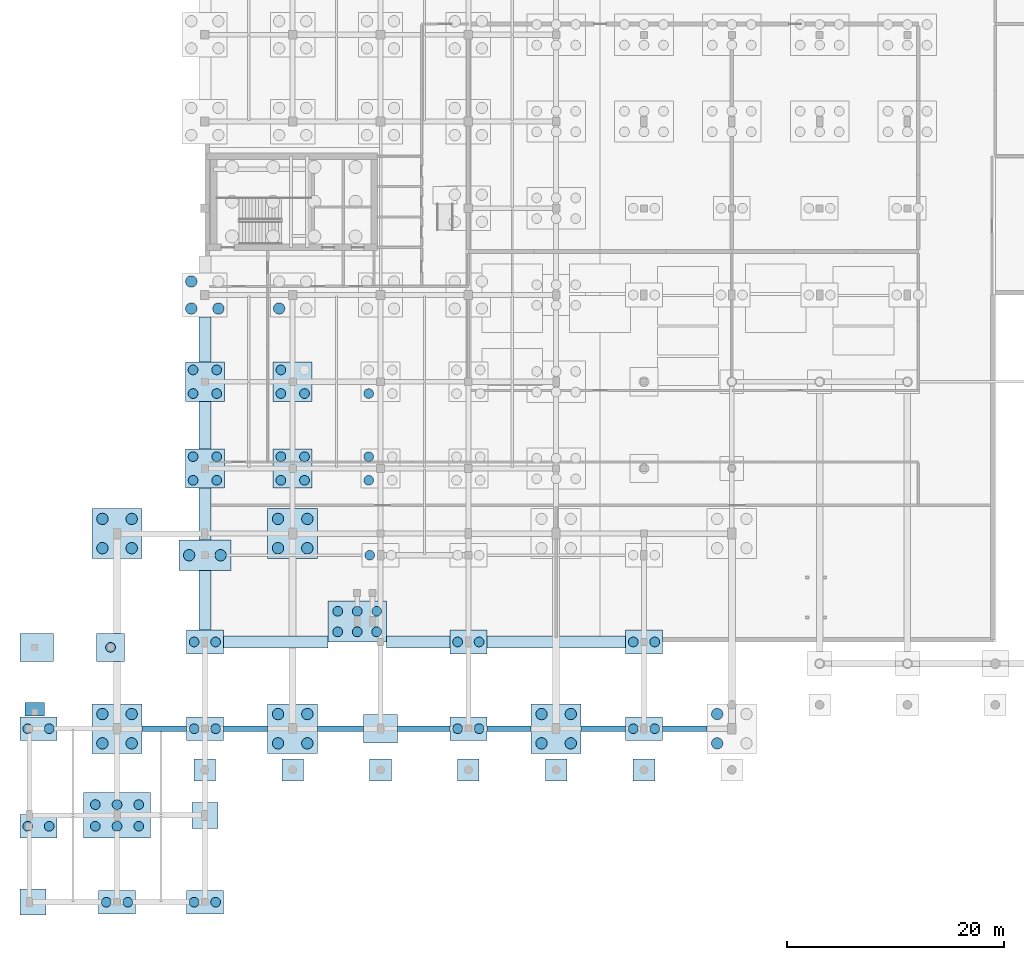
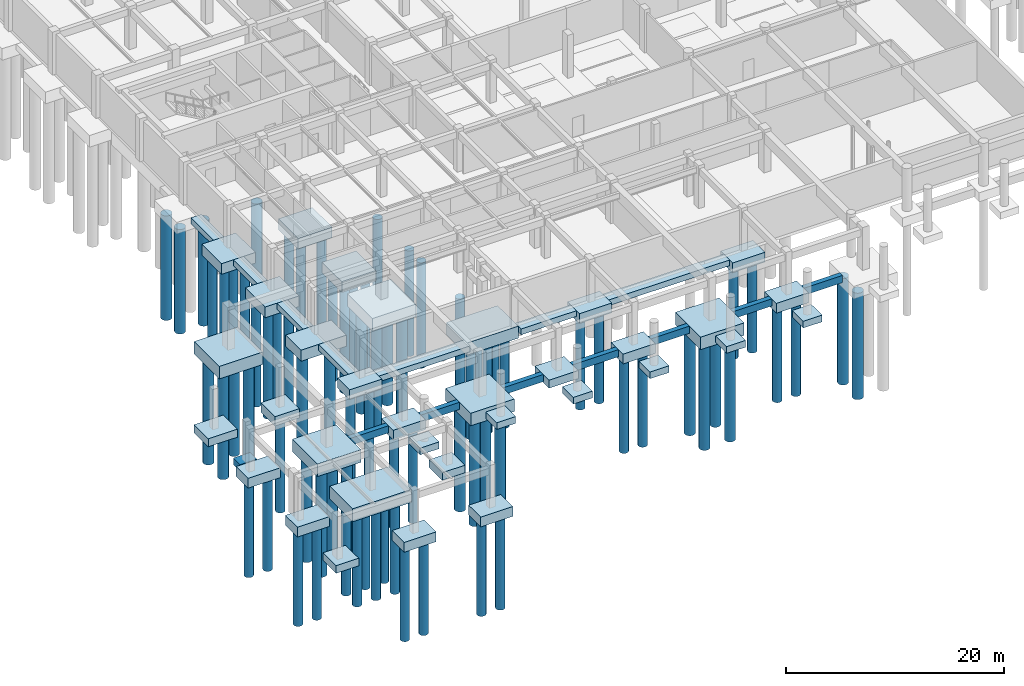
# One storey, part 1 of 25: 80 piles, 48 footings.
"""IFC4 building model written with IfcOpenShell, lengths in metres."""

from ifc_helpers import new_model, si_unit, direction, frame, origin, origin_2d, place, context, subcontext, project, spatial, polyline, rectangle, circle, outline, extrude, material, material_profile, profile_set, type_object, element, save


model = new_model("IFC4")

# Units and contexts
model_context = context("Model", 3, precision=1e-05, world=origin(), true_north=direction((0.0, 1.0)))
body_context = subcontext(model_context, "Body", "Model", "MODEL_VIEW")
ifc_project = project(units=[si_unit("LENGTHUNIT", "METRE"), si_unit("AREAUNIT", "SQUARE_METRE"), si_unit("VOLUMEUNIT", "CUBIC_METRE"), si_unit("PLANEANGLEUNIT", "RADIAN"), si_unit("MASSUNIT", "GRAM", prefix="KILO")], contexts=[model_context])

# Site, building, storey
site_placement = place(None, origin())
site = spatial("IfcSite", under=ifc_project, at=site_placement, CompositionType="ELEMENT")
building_placement = place(site_placement, origin())
building = spatial("IfcBuilding", under=site, at=building_placement, Name="Tarnveldt Square Police Headquarters", CompositionType="ELEMENT")
storey_placement = place(building_placement, frame((0.0, 0.0, -4.800048828125)))
storey = spatial("IfcBuildingStorey", under=building, at=storey_placement, Name="B1", CompositionType="ELEMENT", Elevation=-4.800048828125)

# Footings
ifc_material_1 = material(Name="Concrete 45 MPa", Category="concrete")
footing_type_1 = type_object("IfcFootingType", Name="CAP-PC10", PredefinedType="PILE_CAP", material=ifc_material_1)
footing_1_placement = place(storey_placement, frame((16.199951171875, 32.0, -1.570068359375), z_axis=(0.0, 0.0, 1.0), x_axis=(1.0, 0.0, 0.0)))
element("IfcFooting", 1, at=footing_1_placement, inside=storey, type_object=footing_type_1, Name="Caisson Pile Cap 9", PredefinedType="PILE_CAP", context=body_context, shape_type="SweptSolid", body=[
    extrude(rectangle(XDim=4.800048828125, YDim=2.800048828125, at=origin_2d()), origin(), (0.0, 0.0, 1.0), 1.25),
])
footing_type_2 = type_object("IfcFootingType", Name="CAP-PC2", PredefinedType="PILE_CAP", material=ifc_material_1)
for number, where, z_axis, x_axis, name in (
    (2, (0.85009765625, 7.0, -1.10009765625), (0.0, 0.0, 1.0), (1.0, 0.0, 0.0), "Caisson Pile Cap 1"),
    (3, (0.85009765625, 16.0, -1.10009765625), (0.0, 0.0, 1.0), (1.0, 0.0, 0.0), "Caisson Pile Cap 2"),
    (4, (8.10009765625, 0.0, -1.10009765625), (0.0, 0.0, 1.0), (1.0, 0.0, 0.0), "Caisson Pile Cap 4"),
    (5, (16.199951171875, 0.0, -1.10009765625), (0.0, 0.0, 1.0), (1.0, 0.0, 0.0), "Caisson Pile Cap 6"),
    (6, (16.199951171875, 16.0, -1.10009765625), (0.0, 0.0, 1.0), (1.0, 0.0, 0.0), "Caisson Pile Cap 7"),
    (7, (16.199951171875, 24.0, -1.419921875), (0.0, 0.0, 1.0), (1.0, 0.0, 0.0), "Caisson Pile Cap 8"),
    (8, (40.5, 16.0, -1.10009765625), (0.0, 0.0, 1.0), (1.0, 0.0, 0.0), "Caisson Pile Cap 37"),
    (9, (40.5, 24.0, -1.419921875), (0.0, 0.0, 1.0), (1.0, 0.0, 0.0), "Caisson Pile Cap 38"),
    (10, (56.699951171875, 16.0, -1.10009765625), (0.0, 0.0, 1.0), (1.0, 0.0, 0.0), "Caisson Pile Cap 59"),
    (11, (56.699951171875, 24.0, -1.419921875), (0.0, 0.0, 1.0), (1.0, 0.0, 0.0), "Caisson Pile Cap 60"),
):
    element("IfcFooting", number, at=place(storey_placement, frame(where, z_axis=z_axis, x_axis=x_axis)), inside=storey, type_object=footing_type_2, Name=name, PredefinedType="PILE_CAP", context=body_context, shape_type="SweptSolid", body=[
        extrude(rectangle(XDim=3.39990234375, YDim=2.199951171875, at=origin_2d()), origin(), (0.0, 0.0, 1.0), 1.10009765625),
    ])
footing_type_3 = type_object("IfcFootingType", Name="CAP-PC3", PredefinedType="PILE_CAP", material=ifc_material_1)
for number, where, z_axis, x_axis, name in (
    (12, (16.199951171875, 40.0, -1.52001953125), (0.0, 0.0, 1.0), (1.0, 0.0, 0.0), "Caisson Pile Cap 10"),
    (13, (16.199951171875, 48.0, -1.52001953125), (0.0, 0.0, 1.0), (1.0, 0.0, 0.0), "Caisson Pile Cap 11"),
    (14, (24.300048828125, 40.0, -1.52001953125), (0.0, 0.0, 1.0), (1.0, 0.0, 0.0), "Caisson Pile Cap 18"),
    (15, (24.300048828125, 48.0, -1.52001953125), (0.0, 0.0, 1.0), (1.0, 0.0, 0.0), "Caisson Pile Cap 19"),
):
    element("IfcFooting", number, at=place(storey_placement, frame(where, z_axis=z_axis, x_axis=x_axis)), inside=storey, type_object=footing_type_3, Name=name, PredefinedType="PILE_CAP", context=body_context, shape_type="SweptSolid", body=[
        extrude(rectangle(XDim=3.60009765625, YDim=3.60009765625, at=origin_2d()), origin(), (0.0, 0.0, 1.0), 1.199951171875),
    ])
footing_type_4 = type_object("IfcFootingType", Name="CAP-PC5", PredefinedType="PILE_CAP", material=ifc_material_1)
for number, where, z_axis, x_axis, name in (
    (16, (8.10009765625, 34.0, -1.39990234375), (0.0, 0.0, 1.0), (1.0, 0.0, 0.0), "Cantilever Truss Anchor Pile Cap 1"),
    (17, (8.10009765625, 16.0, -1.39990234375), (0.0, 0.0, 1.0), (1.0, 0.0, 0.0), "Cantilever Truss Anchor Pile Cap 2"),
    (18, (24.300048828125, 34.0, -1.719970703125), (0.0, 0.0, 1.0), (1.0, 0.0, 0.0), "Cantilever Truss Anchor Pile Cap 3"),
    (19, (24.300048828125, 16.0, -1.39990234375), (0.0, 0.0, 1.0), (1.0, 0.0, 0.0), "Cantilever Truss Anchor Pile Cap 4"),
    (20, (48.60009765625, 16.0, -1.39990234375), (0.0, 0.0, 1.0), (1.0, 0.0, 0.0), "Cantilever Truss Anchor Pile Cap 6"),
):
    element("IfcFooting", number, at=place(storey_placement, frame(where, z_axis=z_axis, x_axis=x_axis)), inside=storey, type_object=footing_type_4, Name=name, PredefinedType="PILE_CAP", context=body_context, shape_type="SweptSolid", body=[
        extrude(rectangle(XDim=4.60009765625, YDim=4.60009765625, at=origin_2d()), origin(), (0.0, 0.0, 1.0), 1.39990234375),
    ])
footing_type_5 = type_object("IfcFootingType", Name="CAP-PC6", PredefinedType="PILE_CAP", material=ifc_material_1)
footing_2_placement = place(storey_placement, frame((30.25, 25.8798828125, -1.669921875), z_axis=(0.0, 0.0, 1.0), x_axis=(1.0, 0.0, 0.0)))
element("IfcFooting", 21, at=footing_2_placement, inside=storey, type_object=footing_type_5, Name="Caisson Pile Cap 26", PredefinedType="PILE_CAP", context=body_context, shape_type="SweptSolid", body=[
    extrude(rectangle(XDim=5.39990234375, YDim=3.800048828125, at=origin_2d()), origin(), (0.0, 0.0, 1.0), 1.35009765625),
])
footing_type_6 = type_object("IfcFootingType", Name="CAP-PC7", PredefinedType="PILE_CAP", material=ifc_material_1)
footing_3_placement = place(storey_placement, frame((8.10009765625, 8.0, -1.44970703125), z_axis=(0.0, 0.0, 1.0), x_axis=(1.0, 0.0, 0.0)))
element("IfcFooting", 22, at=footing_3_placement, inside=storey, type_object=footing_type_6, Name="Caisson Pile Cap 5", PredefinedType="PILE_CAP", context=body_context, shape_type="SweptSolid", body=[
    extrude(rectangle(XDim=6.199951171875, YDim=4.199951171875, at=origin_2d()), origin(), (0.0, 0.0, 1.0), 1.449951171875),
])
footing_type_7 = type_object("IfcFootingType", Name="CAP-PC9", PredefinedType="PILE_CAP", material=ifc_material_1)
footing_4_placement = place(storey_placement, frame((7.5, 23.5, -1.0498046875), z_axis=(0.0, 0.0, 1.0), x_axis=(1.0, 0.0, 0.0)))
element("IfcFooting", 23, at=footing_4_placement, inside=storey, type_object=footing_type_7, Name="Caisson Pile Cap 3", PredefinedType="PILE_CAP", context=body_context, shape_type="SweptSolid", body=[
    extrude(rectangle(XDim=2.60009765625, YDim=2.60009765625, at=origin_2d()), origin(), (0.0, 0.0, 1.0), 1.050048828125),
])
ifc_material_2 = material(Name="Concrete 40 MPa", Category="concrete")
footing_type_8 = type_object("IfcFootingType", Name="GB-1", PredefinedType="FOOTING_BEAM", material=ifc_material_2)
footing_5_placement = place(storey_placement, frame((0.0, 0.0, -0.800048828125)))
element("IfcFooting", 24, at=footing_5_placement, inside=storey, type_object=footing_type_8, Name="FTG-GB-V4S Segment 2", PredefinedType="FOOTING_BEAM", context=body_context, shape_type="SweptSolid", body=[
    extrude(outline(polyline([(10.39990234375, 15.75), (14.5, 15.75), (14.5, 16.25), (10.39990234375, 16.25), (10.39990234375, 15.75)])), origin(), (0.0, 0.0, 1.0), 0.800048828125),
])
footing_6_placement = place(storey_placement, frame((0.0, 0.0, -0.800048828125)))
element("IfcFooting", 25, at=footing_6_placement, inside=storey, type_object=footing_type_8, Name="FTG-GB-V4S Segment 3", PredefinedType="FOOTING_BEAM", context=body_context, shape_type="SweptSolid", body=[
    extrude(outline(polyline([(17.89990234375, 15.75), (22.0, 15.75), (22.0, 16.25), (17.89990234375, 16.25), (17.89990234375, 15.75)])), origin(), (0.0, 0.0, 1.0), 0.800048828125),
])
footing_7_placement = place(storey_placement, frame((0.0, 0.0, -0.800048828125)))
element("IfcFooting", 26, at=footing_7_placement, inside=storey, type_object=footing_type_8, Name="FTG-GB-V4S Segment 4", PredefinedType="FOOTING_BEAM", context=body_context, shape_type="SweptSolid", body=[
    extrude(outline(polyline([(26.60009765625, 15.75), (30.85009765625, 15.75), (30.85009765625, 16.25), (26.60009765625, 16.25), (26.60009765625, 15.75)])), origin(), (0.0, 0.0, 1.0), 0.800048828125),
])
footing_8_placement = place(storey_placement, frame((0.0, 0.0, -0.800048828125)))
element("IfcFooting", 27, at=footing_8_placement, inside=storey, type_object=footing_type_8, Name="FTG-GB-V4S Segment 5", PredefinedType="FOOTING_BEAM", context=body_context, shape_type="SweptSolid", body=[
    extrude(outline(polyline([(33.949951171875, 15.75), (38.800048828125, 15.75), (38.800048828125, 16.25), (33.949951171875, 16.25), (33.949951171875, 15.75)])), origin(), (0.0, 0.0, 1.0), 0.800048828125),
])
footing_9_placement = place(storey_placement, frame((0.0, 0.0, -0.800048828125)))
element("IfcFooting", 28, at=footing_9_placement, inside=storey, type_object=footing_type_8, Name="FTG-GB-V4S Segment 6", PredefinedType="FOOTING_BEAM", context=body_context, shape_type="SweptSolid", body=[
    extrude(outline(polyline([(42.199951171875, 15.75), (46.300048828125, 15.75), (46.300048828125, 16.25), (42.199951171875, 16.25), (42.199951171875, 15.75)])), origin(), (0.0, 0.0, 1.0), 0.800048828125),
])
footing_10_placement = place(storey_placement, frame((0.0, 0.0, -0.800048828125)))
element("IfcFooting", 29, at=footing_10_placement, inside=storey, type_object=footing_type_8, Name="FTG-GB-V4S Segment 7", PredefinedType="FOOTING_BEAM", context=body_context, shape_type="SweptSolid", body=[
    extrude(outline(polyline([(50.89990234375, 15.75), (55.0, 15.75), (55.0, 16.25), (50.89990234375, 16.25), (50.89990234375, 15.75)])), origin(), (0.0, 0.0, 1.0), 0.800048828125),
])
footing_11_placement = place(storey_placement, frame((0.0, 0.0, -0.800048828125)))
element("IfcFooting", 30, at=footing_11_placement, inside=storey, type_object=footing_type_8, Name="FTG-GB-V4S Segment 8", PredefinedType="FOOTING_BEAM", context=body_context, shape_type="SweptSolid", body=[
    extrude(outline(polyline([(58.39990234375, 15.75), (62.5, 15.75), (62.5, 16.25), (58.39990234375, 16.25), (58.39990234375, 15.75)])), origin(), (0.0, 0.0, 1.0), 0.800048828125),
])
footing_type_9 = type_object("IfcFootingType", Name="PAD-PF1", PredefinedType="PAD_FOOTING", material=ifc_material_2)
for number, where, z_axis, x_axis, name in (
    (31, (0.35009765625, 0.0, -0.85009765625), (0.0, 0.0, 1.0), (1.0, 0.0, 0.0), "Spread Pad Footing 1"),
    (32, (16.199951171875, 8.0, -0.85009765625), (0.0, 0.0, 1.0), (1.0, 0.0, 0.0), "Spread Pad Footing 4"),
):
    element("IfcFooting", number, at=place(storey_placement, frame(where, z_axis=z_axis, x_axis=x_axis)), inside=storey, type_object=footing_type_9, Name=name, PredefinedType="PAD_FOOTING", context=body_context, shape_type="SweptSolid", body=[
        extrude(rectangle(XDim=2.39990234375, YDim=2.39990234375, at=origin_2d()), origin(), (0.0, 0.0, 1.0), 0.85009765625),
    ])
footing_type_10 = type_object("IfcFootingType", Name="PAD-PF3", PredefinedType="PAD_FOOTING", material=ifc_material_2)
for number, where, z_axis, x_axis, name in (
    (33, (0.699951171875, 23.5, -0.89990234375), (0.0, 0.0, 1.0), (1.0, 0.0, 0.0), "Spread Pad Footing 3"),
    (34, (32.39990234375, 16.0, -0.89990234375), (0.0, 0.0, 1.0), (1.0, 0.0, 0.0), "Spread Pad Footing 6"),
):
    element("IfcFooting", number, at=place(storey_placement, frame(where, z_axis=z_axis, x_axis=x_axis)), inside=storey, type_object=footing_type_10, Name=name, PredefinedType="PAD_FOOTING", context=body_context, shape_type="SweptSolid", body=[
        extrude(rectangle(XDim=3.10009765625, YDim=2.60009765625, at=origin_2d()), origin(), (0.0, 0.0, 1.0), 0.89990234375),
    ])
footing_type_11 = type_object("IfcFootingType", Name="PAD-PF4", PredefinedType="PAD_FOOTING", material=ifc_material_2)
footing_12_placement = place(storey_placement, frame((0.0, 0.0, -0.75)))
element("IfcFooting", 35, at=footing_12_placement, inside=storey, type_object=footing_type_11, Name="Spread Pad Footing 2", PredefinedType="PAD_FOOTING", context=body_context, shape_type="SweptSolid", body=[
    extrude(outline(polyline([(-0.39990234375, 17.159912109375), (1.39990234375, 17.159912109375), (1.39990234375, 18.39990234375), (-0.39990234375, 18.39990234375), (-0.39990234375, 17.159912109375)])), origin(), (0.0, 0.0, 1.0), 0.75),
])
for number, where, z_axis, x_axis, name in (
    (36, (16.199951171875, 12.199951171875, -0.75), (0.0, 0.0, 1.0), (1.0, 0.0, 0.0), "Colonnade Pier Footing 1"),
    (37, (24.300048828125, 12.199951171875, -0.75), (0.0, 0.0, 1.0), (1.0, 0.0, 0.0), "Colonnade Pier Footing 2"),
    (38, (32.39990234375, 12.199951171875, -0.75), (0.0, 0.0, 1.0), (1.0, 0.0, 0.0), "Colonnade Pier Footing 3"),
    (39, (40.5, 12.199951171875, -0.75), (0.0, 0.0, 1.0), (1.0, 0.0, 0.0), "Colonnade Pier Footing 4"),
    (40, (48.60009765625, 12.199951171875, -0.75), (0.0, 0.0, 1.0), (1.0, 0.0, 0.0), "Colonnade Pier Footing 5"),
    (41, (56.699951171875, 12.199951171875, -0.75), (0.0, 0.0, 1.0), (1.0, 0.0, 0.0), "Colonnade Pier Footing 6"),
):
    element("IfcFooting", number, at=place(storey_placement, frame(where, z_axis=z_axis, x_axis=x_axis)), inside=storey, type_object=footing_type_11, Name=name, PredefinedType="PAD_FOOTING", context=body_context, shape_type="SweptSolid", body=[
        extrude(rectangle(XDim=2.0, YDim=2.0, at=origin_2d()), origin(), (0.0, 0.0, 1.0), 0.75),
    ])

# Piles
ifc_material_profile_1 = material_profile(ifc_material_1, circle(Radius=0.449951171875, at=origin_2d()), Name="CAISSON-D900")
ifc_profile_set_1 = profile_set([ifc_material_profile_1], Name="Concrete 45 MPa")
pile_type_1 = type_object("IfcPileType", Name="PILE-CA2", PredefinedType="BORED", material=ifc_profile_set_1)
for number, where, z_axis, x_axis, name in (
    (42, (-0.139892578125, 7.0, -1.0), (0.0, 0.0, -1.0), (1.0, 0.0, 0.0), "Bored Caisson C1.1"),
    (43, (1.840087890625, 7.0, -1.0), (0.0, 0.0, -1.0), (1.0, 0.0, 0.0), "Bored Caisson C1.2"),
    (44, (-0.139892578125, 16.0, -1.0), (0.0, 0.0, -1.0), (1.0, 0.0, 0.0), "Bored Caisson C2.1"),
    (45, (1.840087890625, 16.0, -1.0), (0.0, 0.0, -1.0), (1.0, 0.0, 0.0), "Bored Caisson C2.2"),
):
    element("IfcPile", number, at=place(storey_placement, frame(where, z_axis=z_axis, x_axis=x_axis)), inside=storey, type_object=pile_type_1, Name=name, PredefinedType="BORED", context=body_context, shape_type="SweptSolid", body=[
        extrude(circle(Radius=0.449951171875, at=origin_2d()), origin(), (0.0, 0.0, 1.0), 10.699951171875),
    ])
pile_1_placement = place(storey_placement, frame((7.5, 23.5, -0.949951171875), z_axis=(0.0, 0.0, -1.0), x_axis=(1.0, 0.0, 0.0)))
element("IfcPile", 46, at=pile_1_placement, inside=storey, type_object=pile_type_1, Name="Bored Caisson C3.1", PredefinedType="BORED", context=body_context, shape_type="SweptSolid", body=[
    extrude(circle(Radius=0.449951171875, at=origin_2d()), origin(), (0.0, 0.0, 1.0), 10.75),
])
for number, where, z_axis, x_axis, name in (
    (47, (7.110107421875, 0.0, -1.0), (0.0, 0.0, -1.0), (1.0, 0.0, 0.0), "Bored Caisson C4.1"),
    (48, (9.090087890625, 0.0, -1.0), (0.0, 0.0, -1.0), (1.0, 0.0, 0.0), "Bored Caisson C4.2"),
):
    element("IfcPile", number, at=place(storey_placement, frame(where, z_axis=z_axis, x_axis=x_axis)), inside=storey, type_object=pile_type_1, Name=name, PredefinedType="BORED", context=body_context, shape_type="SweptSolid", body=[
        extrude(circle(Radius=0.449951171875, at=origin_2d()), origin(), (0.0, 0.0, 1.0), 10.699951171875),
    ])
for number, where, z_axis, x_axis, name in (
    (49, (6.10009765625, 7.0, -1.349853515625), (0.0, 0.0, -1.0), (1.0, 0.0, 0.0), "Bored Caisson C5.1"),
    (50, (8.10009765625, 7.0, -1.349853515625), (0.0, 0.0, -1.0), (1.0, 0.0, 0.0), "Bored Caisson C5.2"),
    (51, (10.10009765625, 7.0, -1.349853515625), (0.0, 0.0, -1.0), (1.0, 0.0, 0.0), "Bored Caisson C5.3"),
    (52, (6.10009765625, 9.0, -1.349853515625), (0.0, 0.0, -1.0), (1.0, 0.0, 0.0), "Bored Caisson C5.4"),
    (53, (8.10009765625, 9.0, -1.349853515625), (0.0, 0.0, -1.0), (1.0, 0.0, 0.0), "Bored Caisson C5.5"),
    (54, (10.10009765625, 9.0, -1.349853515625), (0.0, 0.0, -1.0), (1.0, 0.0, 0.0), "Bored Caisson C5.6"),
):
    element("IfcPile", number, at=place(storey_placement, frame(where, z_axis=z_axis, x_axis=x_axis)), inside=storey, type_object=pile_type_1, Name=name, PredefinedType="BORED", context=body_context, shape_type="SweptSolid", body=[
        extrude(circle(Radius=0.449951171875, at=origin_2d()), origin(), (0.0, 0.0, 1.0), 10.35009765625),
    ])
for number, where, z_axis, x_axis, name in (
    (55, (15.2099609375, 0.0, -1.0), (0.0, 0.0, -1.0), (1.0, 0.0, 0.0), "Bored Caisson C6.1"),
    (56, (17.18994140625, 0.0, -1.0), (0.0, 0.0, -1.0), (1.0, 0.0, 0.0), "Bored Caisson C6.2"),
    (57, (15.2099609375, 16.0, -1.0), (0.0, 0.0, -1.0), (1.0, 0.0, 0.0), "Bored Caisson C7.1"),
    (58, (17.18994140625, 16.0, -1.0), (0.0, 0.0, -1.0), (1.0, 0.0, 0.0), "Bored Caisson C7.2"),
):
    element("IfcPile", number, at=place(storey_placement, frame(where, z_axis=z_axis, x_axis=x_axis)), inside=storey, type_object=pile_type_1, Name=name, PredefinedType="BORED", context=body_context, shape_type="SweptSolid", body=[
        extrude(circle(Radius=0.449951171875, at=origin_2d()), origin(), (0.0, 0.0, 1.0), 10.699951171875),
    ])
for number, where, z_axis, x_axis, name in (
    (59, (15.2099609375, 24.0, -1.320068359375), (0.0, 0.0, -1.0), (1.0, 0.0, 0.0), "Bored Caisson C8.1"),
    (60, (17.18994140625, 24.0, -1.320068359375), (0.0, 0.0, -1.0), (1.0, 0.0, 0.0), "Bored Caisson C8.2"),
):
    element("IfcPile", number, at=place(storey_placement, frame(where, z_axis=z_axis, x_axis=x_axis)), inside=storey, type_object=pile_type_1, Name=name, PredefinedType="BORED", context=body_context, shape_type="SweptSolid", body=[
        extrude(circle(Radius=0.449951171875, at=origin_2d()), origin(), (0.0, 0.0, 1.0), 10.3798828125),
    ])
for number, where, z_axis, x_axis, name in (
    (61, (15.110107421875, 38.909912109375, -1.419921875), (0.0, 0.0, -1.0), (1.0, 0.0, 0.0), "Bored Caisson C10.1"),
    (62, (15.110107421875, 41.090087890625, -1.419921875), (0.0, 0.0, -1.0), (1.0, 0.0, 0.0), "Bored Caisson C10.2"),
    (63, (17.2900390625, 38.909912109375, -1.419921875), (0.0, 0.0, -1.0), (1.0, 0.0, 0.0), "Bored Caisson C10.3"),
    (64, (17.2900390625, 41.090087890625, -1.419921875), (0.0, 0.0, -1.0), (1.0, 0.0, 0.0), "Bored Caisson C10.4"),
    (65, (15.110107421875, 46.909912109375, -1.419921875), (0.0, 0.0, -1.0), (1.0, 0.0, 0.0), "Bored Caisson C11.1"),
    (66, (15.110107421875, 49.090087890625, -1.419921875), (0.0, 0.0, -1.0), (1.0, 0.0, 0.0), "Bored Caisson C11.2"),
    (67, (17.2900390625, 46.909912109375, -1.419921875), (0.0, 0.0, -1.0), (1.0, 0.0, 0.0), "Bored Caisson C11.3"),
    (68, (17.2900390625, 49.090087890625, -1.419921875), (0.0, 0.0, -1.0), (1.0, 0.0, 0.0), "Bored Caisson C11.4"),
    (69, (23.2099609375, 38.909912109375, -1.419921875), (0.0, 0.0, -1.0), (1.0, 0.0, 0.0), "Bored Caisson C18.1"),
    (70, (23.2099609375, 41.090087890625, -1.419921875), (0.0, 0.0, -1.0), (1.0, 0.0, 0.0), "Bored Caisson C18.2"),
    (71, (25.389892578125, 38.909912109375, -1.419921875), (0.0, 0.0, -1.0), (1.0, 0.0, 0.0), "Bored Caisson C18.3"),
    (72, (25.389892578125, 41.090087890625, -1.419921875), (0.0, 0.0, -1.0), (1.0, 0.0, 0.0), "Bored Caisson C18.4"),
    (73, (23.2099609375, 46.909912109375, -1.419921875), (0.0, 0.0, -1.0), (1.0, 0.0, 0.0), "Bored Caisson C19.1"),
    (74, (23.2099609375, 49.090087890625, -1.419921875), (0.0, 0.0, -1.0), (1.0, 0.0, 0.0), "Bored Caisson C19.2"),
    (75, (25.389892578125, 46.909912109375, -1.419921875), (0.0, 0.0, -1.0), (1.0, 0.0, 0.0), "Bored Caisson C19.3"),
):
    element("IfcPile", number, at=place(storey_placement, frame(where, z_axis=z_axis, x_axis=x_axis)), inside=storey, type_object=pile_type_1, Name=name, PredefinedType="BORED", context=body_context, shape_type="SweptSolid", body=[
        extrude(circle(Radius=0.449951171875, at=origin_2d()), origin(), (0.0, 0.0, 1.0), 11.780029296875),
    ])
for number, where, z_axis, x_axis, name in (
    (76, (28.449951171875, 24.929931640625, -1.570068359375), (0.0, 0.0, -1.0), (1.0, 0.0, 0.0), "Bored Caisson C26.1"),
    (77, (30.25, 24.929931640625, -1.570068359375), (0.0, 0.0, -1.0), (1.0, 0.0, 0.0), "Bored Caisson C26.2"),
    (78, (32.050048828125, 24.929931640625, -1.570068359375), (0.0, 0.0, -1.0), (1.0, 0.0, 0.0), "Bored Caisson C26.3"),
    (79, (28.449951171875, 26.830078125, -1.570068359375), (0.0, 0.0, -1.0), (1.0, 0.0, 0.0), "Bored Caisson C26.4"),
    (80, (30.25, 26.830078125, -1.570068359375), (0.0, 0.0, -1.0), (1.0, 0.0, 0.0), "Bored Caisson C26.5"),
    (81, (32.050048828125, 26.830078125, -1.570068359375), (0.0, 0.0, -1.0), (1.0, 0.0, 0.0), "Bored Caisson C26.6"),
):
    element("IfcPile", number, at=place(storey_placement, frame(where, z_axis=z_axis, x_axis=x_axis)), inside=storey, type_object=pile_type_1, Name=name, PredefinedType="BORED", context=body_context, shape_type="SweptSolid", body=[
        extrude(circle(Radius=0.449951171875, at=origin_2d()), origin(), (0.0, 0.0, 1.0), 10.1298828125),
    ])
pile_2_placement = place(storey_placement, frame((31.409912109375, 32.0, -1.320068359375), z_axis=(0.0, 0.0, -1.0), x_axis=(1.0, 0.0, 0.0)))
element("IfcPile", 82, at=pile_2_placement, inside=storey, type_object=pile_type_1, Name="Bored Caisson C27.1", PredefinedType="BORED", context=body_context, shape_type="SweptSolid", body=[
    extrude(circle(Radius=0.449951171875, at=origin_2d()), origin(), (0.0, 0.0, 1.0), 10.3798828125),
])
for number, where, z_axis, x_axis, name in (
    (83, (31.31005859375, 38.909912109375, -1.419921875), (0.0, 0.0, -1.0), (1.0, 0.0, 0.0), "Bored Caisson C28.1"),
    (84, (31.31005859375, 41.090087890625, -1.419921875), (0.0, 0.0, -1.0), (1.0, 0.0, 0.0), "Bored Caisson C28.2"),
    (85, (31.31005859375, 46.909912109375, -1.419921875), (0.0, 0.0, -1.0), (1.0, 0.0, 0.0), "Bored Caisson C29.1"),
):
    element("IfcPile", number, at=place(storey_placement, frame(where, z_axis=z_axis, x_axis=x_axis)), inside=storey, type_object=pile_type_1, Name=name, PredefinedType="BORED", context=body_context, shape_type="SweptSolid", body=[
        extrude(circle(Radius=0.449951171875, at=origin_2d()), origin(), (0.0, 0.0, 1.0), 11.780029296875),
    ])
for number, where, z_axis, x_axis, name in (
    (86, (39.510009765625, 16.0, -1.0), (0.0, 0.0, -1.0), (1.0, 0.0, 0.0), "Bored Caisson C37.1"),
    (87, (41.489990234375, 16.0, -1.0), (0.0, 0.0, -1.0), (1.0, 0.0, 0.0), "Bored Caisson C37.2"),
):
    element("IfcPile", number, at=place(storey_placement, frame(where, z_axis=z_axis, x_axis=x_axis)), inside=storey, type_object=pile_type_1, Name=name, PredefinedType="BORED", context=body_context, shape_type="SweptSolid", body=[
        extrude(circle(Radius=0.449951171875, at=origin_2d()), origin(), (0.0, 0.0, 1.0), 10.699951171875),
    ])
for number, where, z_axis, x_axis, name in (
    (88, (39.510009765625, 24.0, -1.320068359375), (0.0, 0.0, -1.0), (1.0, 0.0, 0.0), "Bored Caisson C38.1"),
    (89, (41.489990234375, 24.0, -1.320068359375), (0.0, 0.0, -1.0), (1.0, 0.0, 0.0), "Bored Caisson C38.2"),
):
    element("IfcPile", number, at=place(storey_placement, frame(where, z_axis=z_axis, x_axis=x_axis)), inside=storey, type_object=pile_type_1, Name=name, PredefinedType="BORED", context=body_context, shape_type="SweptSolid", body=[
        extrude(circle(Radius=0.449951171875, at=origin_2d()), origin(), (0.0, 0.0, 1.0), 10.3798828125),
    ])
for number, where, z_axis, x_axis, name in (
    (90, (55.7099609375, 16.0, -1.0), (0.0, 0.0, -1.0), (1.0, 0.0, 0.0), "Bored Caisson C59.1"),
    (91, (57.68994140625, 16.0, -1.0), (0.0, 0.0, -1.0), (1.0, 0.0, 0.0), "Bored Caisson C59.2"),
):
    element("IfcPile", number, at=place(storey_placement, frame(where, z_axis=z_axis, x_axis=x_axis)), inside=storey, type_object=pile_type_1, Name=name, PredefinedType="BORED", context=body_context, shape_type="SweptSolid", body=[
        extrude(circle(Radius=0.449951171875, at=origin_2d()), origin(), (0.0, 0.0, 1.0), 10.699951171875),
    ])
for number, where, z_axis, x_axis, name in (
    (92, (55.7099609375, 24.0, -1.320068359375), (0.0, 0.0, -1.0), (1.0, 0.0, 0.0), "Bored Caisson C60.1"),
    (93, (57.68994140625, 24.0, -1.320068359375), (0.0, 0.0, -1.0), (1.0, 0.0, 0.0), "Bored Caisson C60.2"),
):
    element("IfcPile", number, at=place(storey_placement, frame(where, z_axis=z_axis, x_axis=x_axis)), inside=storey, type_object=pile_type_1, Name=name, PredefinedType="BORED", context=body_context, shape_type="SweptSolid", body=[
        extrude(circle(Radius=0.449951171875, at=origin_2d()), origin(), (0.0, 0.0, 1.0), 10.3798828125),
    ])
ifc_material_profile_2 = material_profile(ifc_material_1, circle(Radius=0.52490234375, at=origin_2d()), Name="CAISSON-D1050")
ifc_profile_set_2 = profile_set([ifc_material_profile_2], Name="Concrete 45 MPa")
pile_type_2 = type_object("IfcPileType", Name="PILE-CA3", PredefinedType="BORED", material=ifc_profile_set_2)
for number, where, z_axis, x_axis, name in (
    (94, (6.75, 32.64990234375, -1.300048828125), (0.0, 0.0, -1.0), (1.0, 0.0, 0.0), "Truss Anchor Caisson 1.1"),
    (95, (6.75, 35.35009765625, -1.300048828125), (0.0, 0.0, -1.0), (1.0, 0.0, 0.0), "Truss Anchor Caisson 1.2"),
    (96, (9.449951171875, 32.64990234375, -1.300048828125), (0.0, 0.0, -1.0), (1.0, 0.0, 0.0), "Truss Anchor Caisson 1.3"),
    (97, (9.449951171875, 35.35009765625, -1.300048828125), (0.0, 0.0, -1.0), (1.0, 0.0, 0.0), "Truss Anchor Caisson 1.4"),
    (98, (6.75, 14.64990234375, -1.300048828125), (0.0, 0.0, -1.0), (1.0, 0.0, 0.0), "Truss Anchor Caisson 2.1"),
    (99, (6.75, 17.35009765625, -1.300048828125), (0.0, 0.0, -1.0), (1.0, 0.0, 0.0), "Truss Anchor Caisson 2.2"),
    (100, (9.449951171875, 14.64990234375, -1.300048828125), (0.0, 0.0, -1.0), (1.0, 0.0, 0.0), "Truss Anchor Caisson 2.3"),
    (101, (9.449951171875, 17.35009765625, -1.300048828125), (0.0, 0.0, -1.0), (1.0, 0.0, 0.0), "Truss Anchor Caisson 2.4"),
):
    element("IfcPile", number, at=place(storey_placement, frame(where, z_axis=z_axis, x_axis=x_axis)), inside=storey, type_object=pile_type_2, Name=name, PredefinedType="BORED", context=body_context, shape_type="SweptSolid", body=[
        extrude(circle(Radius=0.52490234375, at=origin_2d()), origin(), (0.0, 0.0, 1.0), 11.89990234375),
    ])
for number, where, z_axis, x_axis, name in (
    (102, (22.949951171875, 32.64990234375, -1.619873046875), (0.0, 0.0, -1.0), (1.0, 0.0, 0.0), "Truss Anchor Caisson 3.1"),
    (103, (22.949951171875, 35.35009765625, -1.619873046875), (0.0, 0.0, -1.0), (1.0, 0.0, 0.0), "Truss Anchor Caisson 3.2"),
    (104, (25.64990234375, 32.64990234375, -1.619873046875), (0.0, 0.0, -1.0), (1.0, 0.0, 0.0), "Truss Anchor Caisson 3.3"),
    (105, (25.64990234375, 35.35009765625, -1.619873046875), (0.0, 0.0, -1.0), (1.0, 0.0, 0.0), "Truss Anchor Caisson 3.4"),
):
    element("IfcPile", number, at=place(storey_placement, frame(where, z_axis=z_axis, x_axis=x_axis)), inside=storey, type_object=pile_type_2, Name=name, PredefinedType="BORED", context=body_context, shape_type="SweptSolid", body=[
        extrude(circle(Radius=0.52490234375, at=origin_2d()), origin(), (0.0, 0.0, 1.0), 11.580078125),
    ])
for number, where, z_axis, x_axis, name in (
    (106, (22.949951171875, 14.64990234375, -1.300048828125), (0.0, 0.0, -1.0), (1.0, 0.0, 0.0), "Truss Anchor Caisson 4.1"),
    (107, (22.949951171875, 17.35009765625, -1.300048828125), (0.0, 0.0, -1.0), (1.0, 0.0, 0.0), "Truss Anchor Caisson 4.2"),
    (108, (25.64990234375, 14.64990234375, -1.300048828125), (0.0, 0.0, -1.0), (1.0, 0.0, 0.0), "Truss Anchor Caisson 4.3"),
    (109, (25.64990234375, 17.35009765625, -1.300048828125), (0.0, 0.0, -1.0), (1.0, 0.0, 0.0), "Truss Anchor Caisson 4.4"),
    (110, (47.25, 14.64990234375, -1.300048828125), (0.0, 0.0, -1.0), (1.0, 0.0, 0.0), "Truss Anchor Caisson 6.1"),
    (111, (47.25, 17.35009765625, -1.300048828125), (0.0, 0.0, -1.0), (1.0, 0.0, 0.0), "Truss Anchor Caisson 6.2"),
    (112, (49.949951171875, 14.64990234375, -1.300048828125), (0.0, 0.0, -1.0), (1.0, 0.0, 0.0), "Truss Anchor Caisson 6.3"),
    (113, (49.949951171875, 17.35009765625, -1.300048828125), (0.0, 0.0, -1.0), (1.0, 0.0, 0.0), "Truss Anchor Caisson 6.4"),
    (114, (63.449951171875, 14.64990234375, -1.300048828125), (0.0, 0.0, -1.0), (1.0, 0.0, 0.0), "Truss Anchor Caisson 8.1"),
    (115, (63.449951171875, 17.35009765625, -1.300048828125), (0.0, 0.0, -1.0), (1.0, 0.0, 0.0), "Truss Anchor Caisson 8.2"),
):
    element("IfcPile", number, at=place(storey_placement, frame(where, z_axis=z_axis, x_axis=x_axis)), inside=storey, type_object=pile_type_2, Name=name, PredefinedType="BORED", context=body_context, shape_type="SweptSolid", body=[
        extrude(circle(Radius=0.52490234375, at=origin_2d()), origin(), (0.0, 0.0, 1.0), 11.89990234375),
    ])
for number, where, z_axis, x_axis, name in (
    (116, (14.75, 32.0, -1.469970703125), (0.0, 0.0, -1.0), (1.0, 0.0, 0.0), "Bored Caisson C9.1"),
    (117, (17.64990234375, 32.0, -1.469970703125), (0.0, 0.0, -1.0), (1.0, 0.0, 0.0), "Bored Caisson C9.2"),
):
    element("IfcPile", number, at=place(storey_placement, frame(where, z_axis=z_axis, x_axis=x_axis)), inside=storey, type_object=pile_type_2, Name=name, PredefinedType="BORED", context=body_context, shape_type="SweptSolid", body=[
        extrude(circle(Radius=0.52490234375, at=origin_2d()), origin(), (0.0, 0.0, 1.0), 10.22998046875),
    ])
for number, where, z_axis, x_axis, name in (
    (118, (14.949951171875, 54.75, -1.52001953125), (0.0, 0.0, -1.0), (1.0, 0.0, 0.0), "Bored Caisson C12.1"),
    (119, (14.949951171875, 57.25, -1.52001953125), (0.0, 0.0, -1.0), (1.0, 0.0, 0.0), "Bored Caisson C12.2"),
    (120, (17.449951171875, 54.75, -1.52001953125), (0.0, 0.0, -1.0), (1.0, 0.0, 0.0), "Bored Caisson C12.3"),
    (121, (23.050048828125, 54.75, -1.52001953125), (0.0, 0.0, -1.0), (1.0, 0.0, 0.0), "Bored Caisson C20.1"),
):
    element("IfcPile", number, at=place(storey_placement, frame(where, z_axis=z_axis, x_axis=x_axis)), inside=storey, type_object=pile_type_2, Name=name, PredefinedType="BORED", context=body_context, shape_type="SweptSolid", body=[
        extrude(circle(Radius=0.52490234375, at=origin_2d()), origin(), (0.0, 0.0, 1.0), 11.679931640625),
    ])

# Footings
footing_type_12 = type_object("IfcFootingType", Name="SF-1", PredefinedType="STRIP_FOOTING", material=ifc_material_2)
footing_13_placement = place(storey_placement, frame((0.0, 0.0, -0.969970703125)))
element("IfcFooting", 122, at=footing_13_placement, inside=storey, type_object=footing_type_12, Name="FTG-SF-S Segment 3", PredefinedType="STRIP_FOOTING", context=body_context, shape_type="SweptSolid", body=[
    extrude(outline(polyline([(17.89990234375, 23.449951171875), (27.550048828125, 23.449951171875), (27.550048828125, 24.550048828125), (17.89990234375, 24.550048828125), (17.89990234375, 23.449951171875)])), origin(), (0.0, 0.0, 1.0), 0.64990234375),
])
footing_14_placement = place(storey_placement, frame((0.0, 0.0, -0.969970703125)))
element("IfcFooting", 123, at=footing_14_placement, inside=storey, type_object=footing_type_12, Name="FTG-SF-S Segment 4", PredefinedType="STRIP_FOOTING", context=body_context, shape_type="SweptSolid", body=[
    extrude(outline(polyline([(32.949951171875, 23.449951171875), (38.800048828125, 23.449951171875), (38.800048828125, 24.550048828125), (32.949951171875, 24.550048828125), (32.949951171875, 23.449951171875)])), origin(), (0.0, 0.0, 1.0), 0.64990234375),
])
footing_15_placement = place(storey_placement, frame((0.0, 0.0, -0.969970703125)))
element("IfcFooting", 124, at=footing_15_placement, inside=storey, type_object=footing_type_12, Name="FTG-SF-S Segment 5", PredefinedType="STRIP_FOOTING", context=body_context, shape_type="SweptSolid", body=[
    extrude(outline(polyline([(42.199951171875, 23.449951171875), (55.0, 23.449951171875), (55.0, 24.550048828125), (42.199951171875, 24.550048828125), (42.199951171875, 23.449951171875)])), origin(), (0.0, 0.0, 1.0), 0.64990234375),
])
footing_16_placement = place(storey_placement, frame((0.0, 0.0, -0.969970703125)))
element("IfcFooting", 125, at=footing_16_placement, inside=storey, type_object=footing_type_12, Name="FTG-SF-W Segment 5", PredefinedType="STRIP_FOOTING", context=body_context, shape_type="SweptSolid", body=[
    extrude(outline(polyline([(15.64990234375, 25.10009765625), (16.75, 25.10009765625), (16.75, 30.60009765625), (15.64990234375, 30.60009765625), (15.64990234375, 25.10009765625)])), origin(), (0.0, 0.0, 1.0), 0.64990234375),
])
footing_17_placement = place(storey_placement, frame((0.0, 0.0, -0.969970703125)))
element("IfcFooting", 126, at=footing_17_placement, inside=storey, type_object=footing_type_12, Name="FTG-SF-W Segment 6", PredefinedType="STRIP_FOOTING", context=body_context, shape_type="SweptSolid", body=[
    extrude(outline(polyline([(15.64990234375, 33.39990234375), (16.75, 33.39990234375), (16.75, 38.199951171875), (15.64990234375, 38.199951171875), (15.64990234375, 33.39990234375)])), origin(), (0.0, 0.0, 1.0), 0.64990234375),
])
footing_18_placement = place(storey_placement, frame((0.0, 0.0, -0.969970703125)))
element("IfcFooting", 127, at=footing_18_placement, inside=storey, type_object=footing_type_12, Name="FTG-SF-W Segment 7", PredefinedType="STRIP_FOOTING", context=body_context, shape_type="SweptSolid", body=[
    extrude(outline(polyline([(15.64990234375, 41.800048828125), (16.75, 41.800048828125), (16.75, 46.199951171875), (15.64990234375, 46.199951171875), (15.64990234375, 41.800048828125)])), origin(), (0.0, 0.0, 1.0), 0.64990234375),
])
footing_19_placement = place(storey_placement, frame((0.0, 0.0, -0.969970703125)))
element("IfcFooting", 128, at=footing_19_placement, inside=storey, type_object=footing_type_12, Name="FTG-SF-W Segment 8", PredefinedType="STRIP_FOOTING", context=body_context, shape_type="SweptSolid", body=[
    extrude(outline(polyline([(15.64990234375, 49.800048828125), (16.75, 49.800048828125), (16.75, 53.949951171875), (15.64990234375, 53.949951171875), (15.64990234375, 49.800048828125)])), origin(), (0.0, 0.0, 1.0), 0.64990234375),
])

save(model, "model.ifc")
